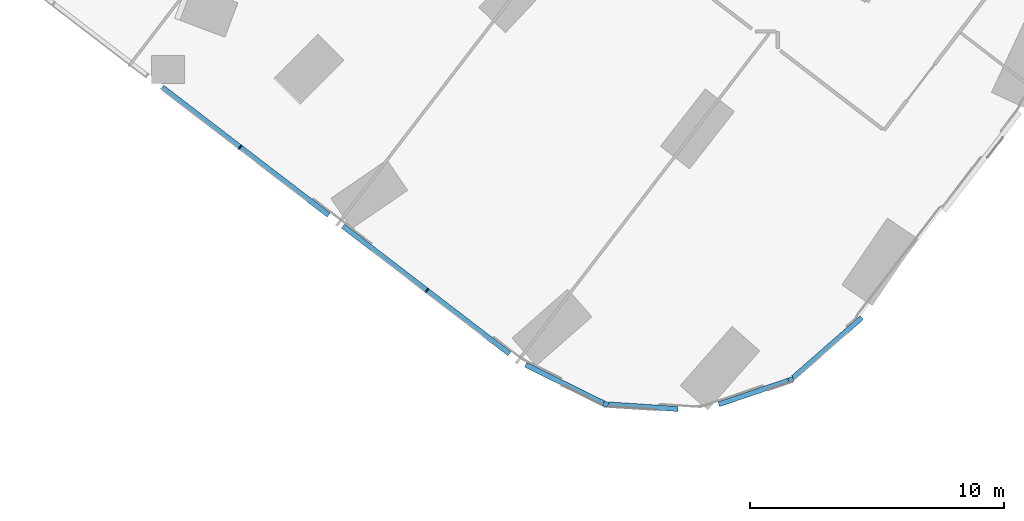
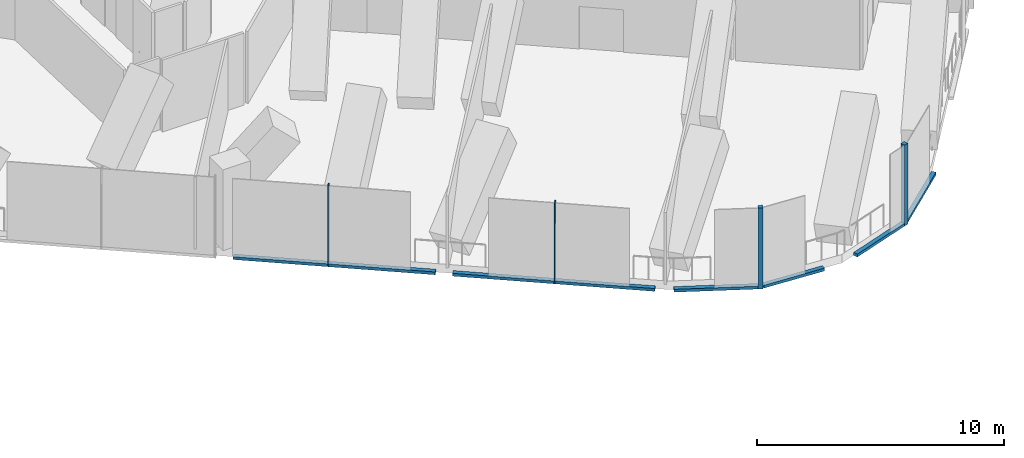
# One storey, part 7 of 32: 10 members, 5 elements without a shape of their own.
"""IFC4 building model written with IfcOpenShell, lengths in metres."""

from ifc_helpers import new_model, si_unit, direction, frame, origin, origin_2d, place, context, subcontext, project, spatial, rectangle, extrude, material, material_profile, profile_set, type_object, element, aggregate, save


model = new_model("IFC4")

# Units and contexts
model_context = context("Model", 3, precision=1e-05, world=origin(), true_north=direction((0.0, 1.0)))
body_context = subcontext(model_context, "Body", "Model", "MODEL_VIEW")
ifc_project = project(units=[si_unit("LENGTHUNIT", "METRE"), si_unit("AREAUNIT", "SQUARE_METRE"), si_unit("VOLUMEUNIT", "CUBIC_METRE"), si_unit("PLANEANGLEUNIT", "RADIAN"), si_unit("MASSUNIT", "GRAM", prefix="KILO")], contexts=[model_context])

# Site, building, storey
site_placement = place(None, origin())
site = spatial("IfcSite", under=ifc_project, at=site_placement, CompositionType="ELEMENT")
building_placement = place(site_placement, origin())
building = spatial("IfcBuilding", under=site, at=building_placement, Name="Orlundy Tower", CompositionType="ELEMENT")
storey_placement = place(building_placement, frame((0.0, 0.0, 33.300048828125)))
storey = spatial("IfcBuildingStorey", under=building, at=storey_placement, Name="L06", CompositionType="ELEMENT", Elevation=33.300048828125)

# Curtain wall, member
ifc_material_1 = material(Name="Aluminium bronze anodised", Category="aluminium")
curtain_wall_type = type_object("IfcCurtainWallType", Name="CW5 wall", PredefinedType="NOTDEFINED", material=ifc_material_1)
curtain_wall_1_placement = place(storey_placement, origin())
curtain_wall_1 = element("IfcCurtainWall", 1, at=curtain_wall_1_placement, inside=storey, type_object=curtain_wall_type, Name="CW5 run 024", PredefinedType="NOTDEFINED")
ifc_material_2 = material(Name="Aluminium bronze anodised", Category="aluminium")
ifc_material_profile_1 = material_profile(ifc_material_2, rectangle(XDim=0.199951171875, YDim=0.199951171875, at=origin_2d()), Name="CW5 corner post 200x200")
ifc_profile_set_1 = profile_set([ifc_material_profile_1], Name="Aluminium bronze anodised")
member_type_1 = type_object("IfcMemberType", Name="CW5 corner post 200x200", PredefinedType="MULLION", material=ifc_profile_set_1)
member_1_placement = place(storey_placement, frame((38.869873046875, -47.6923828125, -0.420166015625), z_axis=(0.0, 0.0, 1.0), x_axis=(0.321564171921, -0.946887788144, 0.0)))
member_1 = element("IfcMember", 2, at=member_1_placement, type_object=member_type_1, Name="CW5 mullion 39", PredefinedType="MULLION", context=body_context, shape_type="SweptSolid", body=[
    extrude(rectangle(XDim=0.199951171875, YDim=0.199951171875, at=origin_2d()), origin(), (0.0, 0.0, 1.0), 4.0),
])

curtain_wall_2_placement = place(storey_placement, origin())
curtain_wall_2 = element("IfcCurtainWall", 3, at=curtain_wall_2_placement, inside=storey, type_object=curtain_wall_type, Name="CW5 run 026", PredefinedType="NOTDEFINED")
member_2_placement = place(storey_placement, frame((31.58349609375, -48.6513671875, -0.420166015625), z_axis=(0.0, 0.0, 1.0), x_axis=(-0.442241939743, -0.896895794801, 0.0)))
member_2 = element("IfcMember", 4, at=member_2_placement, type_object=member_type_1, Name="CW5 mullion 41", PredefinedType="MULLION", context=body_context, shape_type="SweptSolid", body=[
    extrude(rectangle(XDim=0.199951171875, YDim=0.199951171875, at=origin_2d()), origin(), (0.0, 0.0, 1.0), 4.0),
])

# Curtain wall, members
curtain_wall_3_placement = place(storey_placement, origin())
curtain_wall_3 = element("IfcCurtainWall", 5, at=curtain_wall_3_placement, inside=storey, type_object=curtain_wall_type, Name="CW5 run 027", PredefinedType="NOTDEFINED")
ifc_material_3 = material(Name="Aluminium bronze anodised", Category="aluminium")
ifc_material_profile_2 = material_profile(ifc_material_3, rectangle(XDim=0.199951171875, YDim=0.050048828125, at=origin_2d()), Name="CW5 mullion 50x200")
ifc_profile_set_2 = profile_set([ifc_material_profile_2], Name="Aluminium bronze anodised")
member_type_2 = type_object("IfcMemberType", Name="CW5 mullion 50x200", PredefinedType="MULLION", material=ifc_profile_set_2)
member_3_placement = place(storey_placement, frame((24.55126953125, -44.17431640625, -0.420166015625), z_axis=(0.0, 0.0, 1.0), x_axis=(-0.60875715215, -0.793356622022, 0.0)))
member_3 = element("IfcMember", 6, at=member_3_placement, type_object=member_type_2, Name="CW5 mullion 43", PredefinedType="MULLION", context=body_context, shape_type="SweptSolid", body=[
    extrude(rectangle(XDim=0.199951171875, YDim=0.050048828125, at=origin_2d()), origin(), (0.0, 0.0, 1.0), 4.0),
])
member_4_placement = place(storey_placement, frame((17.20361328125, -38.536376953125, -0.420166015625), z_axis=(0.0, 0.0, 1.0), x_axis=(-0.60875715215, -0.793356622022, 0.0)))
member_4 = element("IfcMember", 7, at=member_4_placement, type_object=member_type_2, Name="CW5 mullion 45", PredefinedType="MULLION", context=body_context, shape_type="SweptSolid", body=[
    extrude(rectangle(XDim=0.199951171875, YDim=0.050048828125, at=origin_2d()), origin(), (0.0, 0.0, 1.0), 4.0),
])

# Curtain wall, member
curtain_wall_4_placement = place(storey_placement, origin())
curtain_wall_4 = element("IfcCurtainWall", 8, at=curtain_wall_4_placement, inside=storey, type_object=curtain_wall_type, Name="CW5 run 023", PredefinedType="NOTDEFINED")
ifc_material_4 = material(Name="Aluminium bronze anodised", Category="aluminium")
ifc_material_profile_3 = material_profile(ifc_material_4, rectangle(XDim=0.199951171875, YDim=0.139892578125, at=origin_2d()), Name="CW5 transom 200x140")
ifc_profile_set_3 = profile_set([ifc_material_profile_3], Name="Aluminium bronze anodised")
member_type_3 = type_object("IfcMemberType", Name="CW5 transom 200x140", PredefinedType="USERDEFINED", material=ifc_profile_set_3)
member_5_placement = place(storey_placement, frame((41.660400390625, -45.245361328125, -0.35009765625), z_axis=(-0.751871073722, -0.659310161077, 0.0), x_axis=(0.659310161077, -0.751871073722, 0.0)))
member_5 = element("IfcMember", 9, at=member_5_placement, type_object=member_type_3, Name="CW5 transom", ObjectType="TRANSOM", PredefinedType="USERDEFINED", context=body_context, shape_type="SweptSolid", body=[
    extrude(rectangle(XDim=0.199951171875, YDim=0.139892578125, at=origin_2d()), origin(), (0.0, 0.0, 1.0), 3.60302734375),
])
aggregate(curtain_wall_4, [member_5])

# Member
member_6_placement = place(storey_placement, frame((38.775390625, -47.724365234375, -0.35009765625), z_axis=(-0.946873845268, -0.321605225623, 0.0), x_axis=(0.321605225623, -0.946873845268, 0.0)))
member_6 = element("IfcMember", 10, at=member_6_placement, type_object=member_type_3, Name="CW5 transom", ObjectType="TRANSOM", PredefinedType="USERDEFINED", context=body_context, shape_type="SweptSolid", body=[
    extrude(rectangle(XDim=0.199951171875, YDim=0.139892578125, at=origin_2d()), origin(), (0.0, 0.0, 1.0), 2.8984375),
])

aggregate(curtain_wall_1, [member_1, member_6])

# Curtain wall, member
curtain_wall_5_placement = place(storey_placement, origin())
curtain_wall_5 = element("IfcCurtainWall", 11, at=curtain_wall_5_placement, inside=storey, type_object=curtain_wall_type, Name="CW5 run 025", PredefinedType="NOTDEFINED")
member_7_placement = place(storey_placement, frame((34.430908203125, -48.838623046875, -0.35009765625), z_axis=(-0.997849612859, 0.06554502359, 0.0), x_axis=(-0.06554502359, -0.997849612859, 0.0)))
member_7 = element("IfcMember", 12, at=member_7_placement, type_object=member_type_3, Name="CW5 transom", ObjectType="TRANSOM", PredefinedType="USERDEFINED", context=body_context, shape_type="SweptSolid", body=[
    extrude(rectangle(XDim=0.199951171875, YDim=0.139892578125, at=origin_2d()), origin(), (0.0, 0.0, 1.0), 2.7451171875),
])
aggregate(curtain_wall_5, [member_7])

# Member
member_8_placement = place(storey_placement, frame((31.493896484375, -48.607177734375, -0.35009765625), z_axis=(-0.896901169024, 0.442231040298, 0.0), x_axis=(-0.442231040298, -0.896901169024, 0.0)))
member_8 = element("IfcMember", 13, at=member_8_placement, type_object=member_type_3, Name="CW5 transom", ObjectType="TRANSOM", PredefinedType="USERDEFINED", context=body_context, shape_type="SweptSolid", body=[
    extrude(rectangle(XDim=0.199951171875, YDim=0.139892578125, at=origin_2d()), origin(), (0.0, 0.0, 1.0), 3.4150390625),
])

aggregate(curtain_wall_2, [member_2, member_8])

member_9_placement = place(storey_placement, frame((27.798095703125, -46.66552734375, -0.35009765625), z_axis=(-0.793363122704, 0.608748680108, 0.0), x_axis=(-0.608748680108, -0.793363122704, 0.0)))
member_9 = element("IfcMember", 14, at=member_9_placement, type_object=member_type_3, Name="CW5 transom", ObjectType="TRANSOM", PredefinedType="USERDEFINED", context=body_context, shape_type="SweptSolid", body=[
    extrude(rectangle(XDim=0.199951171875, YDim=0.139892578125, at=origin_2d()), origin(), (0.0, 0.0, 1.0), 8.25732421875),
])

member_10_placement = place(storey_placement, frame((20.68408203125, -41.206787109375, -0.35009765625), z_axis=(-0.793359800012, 0.608753010444, 0.0), x_axis=(-0.608753010444, -0.793359800012, 0.0)))
member_10 = element("IfcMember", 15, at=member_10_placement, type_object=member_type_3, Name="CW5 transom", ObjectType="TRANSOM", PredefinedType="USERDEFINED", context=body_context, shape_type="SweptSolid", body=[
    extrude(rectangle(XDim=0.199951171875, YDim=0.139892578125, at=origin_2d()), origin(), (0.0, 0.0, 1.0), 8.257568359375),
])

aggregate(curtain_wall_3, [member_3, member_4, member_9, member_10])

save(model, "model.ifc")
